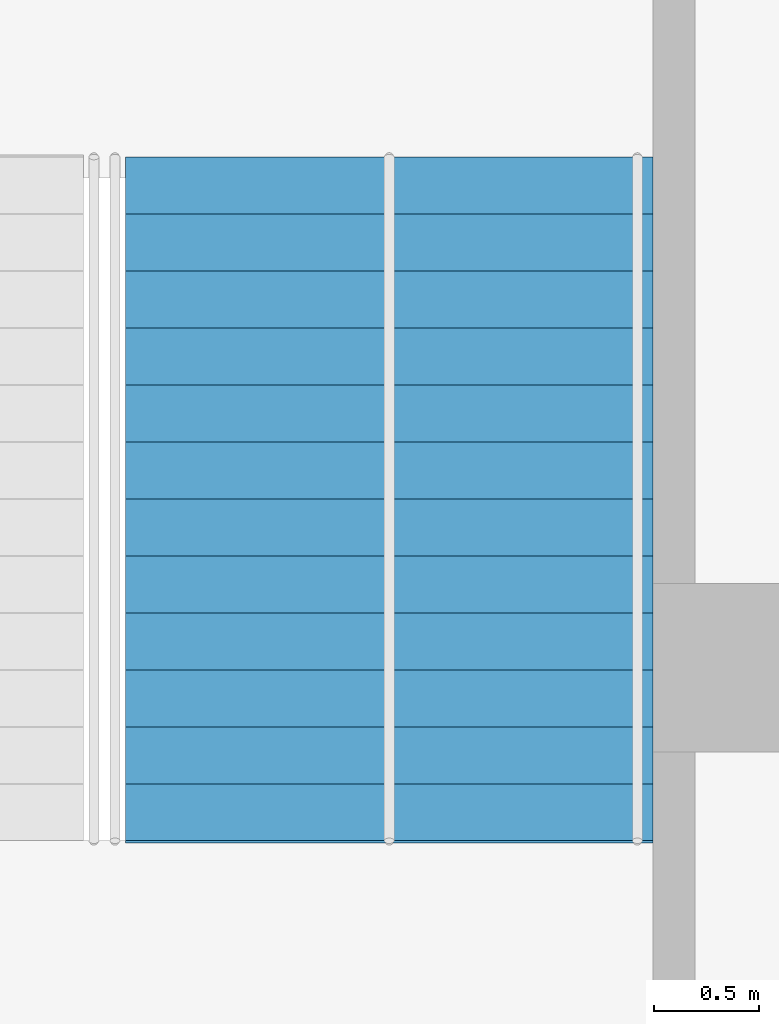
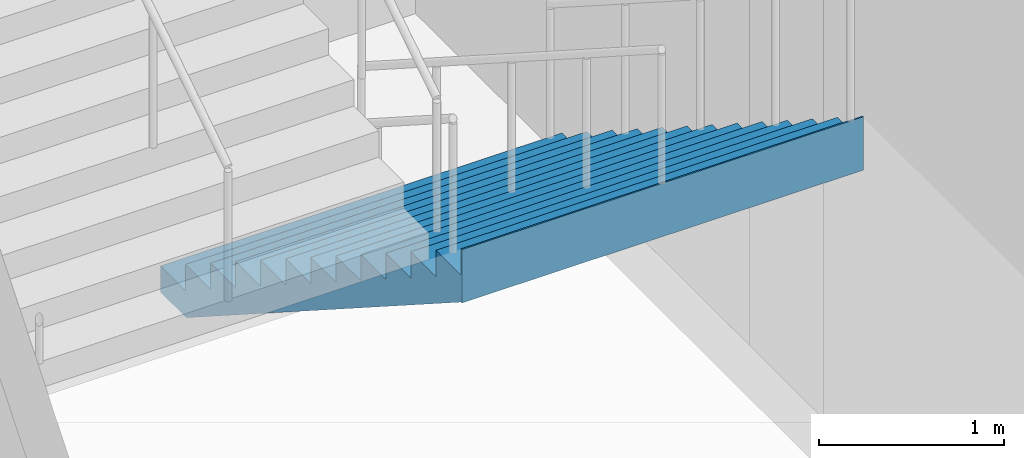
# One storey, part 14 of 15: 1 stair flight, 1 element without a shape of its own.
"""IFC4 building model written with IfcOpenShell, lengths in metres."""

from ifc_helpers import new_model, si_unit, direction, frame, origin, place, context, subcontext, project, spatial, faceted_brep, material, type_object, element, aggregate, save


model = new_model("IFC4")

# Units and contexts
model_context = context("Model", 3, precision=1e-05, world=origin(), true_north=direction((0.0, 1.0)))
body_context = subcontext(model_context, "Body", "Model", "MODEL_VIEW")
ifc_project = project(units=[si_unit("LENGTHUNIT", "METRE"), si_unit("AREAUNIT", "SQUARE_METRE"), si_unit("VOLUMEUNIT", "CUBIC_METRE"), si_unit("PLANEANGLEUNIT", "RADIAN"), si_unit("MASSUNIT", "GRAM", prefix="KILO")], contexts=[model_context])

# Site, building, storey
site_placement = place(None, origin())
site = spatial("IfcSite", under=ifc_project, at=site_placement, CompositionType="ELEMENT")
building_placement = place(site_placement, origin())
building = spatial("IfcBuilding", under=site, at=building_placement, Name="Torsade Residences", CompositionType="ELEMENT")
storey_placement = place(building_placement, frame((0.0, 0.0, 6.0)))
storey = spatial("IfcBuildingStorey", under=building, at=storey_placement, Name="L01", CompositionType="ELEMENT", Elevation=6.0)

# Stair, stair flight
ifc_material_1 = material(Name="Concrete 40 MPa", Category="concrete")
stair_type = type_object("IfcStairType", Name="HALF-TURN PODIUM STAIR 2500x4500", PredefinedType="HALF_TURN_STAIR", material=ifc_material_1)
stair_placement = place(storey_placement, origin())
stair = element("IfcStair", 1, at=stair_placement, inside=storey, type_object=stair_type, Name="Stair ST4 L01", PredefinedType="HALF_TURN_STAIR")
ifc_material_2 = material(Name="Concrete 40 MPa", Category="concrete")
stair_flight_type = type_object("IfcStairFlightType", Name="PODIUM STAIR FLIGHT 2500x2250", PredefinedType="STRAIGHT", material=ifc_material_2)
stair_flight_placement = place(storey_placement, frame((75.75, 13.419921875, 0.0), z_axis=(0.0, 0.0, 1.0), x_axis=(0.0, -1.0, 0.0)))
stair_flight = element("IfcStairFlight", 2, at=stair_flight_placement, type_object=stair_flight_type, Name="ST4 flight 1", NumberOfRisers=13, NumberOfTreads=12, PredefinedType="STRAIGHT", RiserHeight=0.173076923, TreadLength=0.27, context=body_context, shape_type="Brep", body=[
    faceted_brep([(0.0, 1.25, 0.0), (0.0, 1.25, 0.173095703125), (0.27001953125, 1.25, 0.173095703125), (0.27001953125, 1.25, 0.34619140625), (0.5400390625, 1.25, 0.34619140625), (0.5400390625, 1.25, 0.519287109375), (0.81005859375, 1.25, 0.519287109375), (0.81005859375, 1.25, 0.6923828125), (1.080078125, 1.25, 0.6923828125), (1.080078125, 1.25, 0.865478515625), (1.35009765625, 1.25, 0.865478515625), (1.35009765625, 1.25, 1.03857421875), (1.6201171875, 1.25, 1.03857421875), (1.6201171875, 1.25, 1.21142578125), (1.889892578125, 1.25, 1.21142578125), (1.889892578125, 1.25, 1.384521484375), (2.159912109375, 1.25, 1.384521484375), (2.159912109375, 1.25, 1.5576171875), (2.429931640625, 1.25, 1.5576171875), (2.429931640625, 1.25, 1.730712890625), (2.699951171875, 1.25, 1.730712890625), (2.699951171875, 1.25, 1.90380859375), (2.969970703125, 1.25, 1.90380859375), (2.969970703125, 1.25, 2.076904296875), (3.239990234375, 1.25, 2.076904296875), (3.239990234375, 1.25, 2.25), (3.25, 1.25, 2.25), (3.25, 1.25, 1.89892578125), (3.239990234375, 1.25, 1.89892578125), (0.27783203125, 1.25, 0.0), (0.27783203125, -1.25, 0.0), (3.239990234375, -1.25, 1.89892578125), (3.25, -1.25, 1.89892578125), (3.25, -1.25, 2.25), (3.239990234375, -1.25, 2.25), (3.239990234375, -1.25, 2.076904296875), (2.969970703125, -1.25, 2.076904296875), (2.969970703125, -1.25, 1.90380859375), (2.699951171875, -1.25, 1.90380859375), (2.699951171875, -1.25, 1.730712890625), (2.429931640625, -1.25, 1.730712890625), (2.429931640625, -1.25, 1.5576171875), (2.159912109375, -1.25, 1.5576171875), (2.159912109375, -1.25, 1.384521484375), (1.889892578125, -1.25, 1.384521484375), (1.889892578125, -1.25, 1.21142578125), (1.6201171875, -1.25, 1.21142578125), (1.6201171875, -1.25, 1.03857421875), (1.35009765625, -1.25, 1.03857421875), (1.35009765625, -1.25, 0.865478515625), (1.080078125, -1.25, 0.865478515625), (1.080078125, -1.25, 0.6923828125), (0.81005859375, -1.25, 0.6923828125), (0.81005859375, -1.25, 0.519287109375), (0.5400390625, -1.25, 0.519287109375), (0.5400390625, -1.25, 0.34619140625), (0.27001953125, -1.25, 0.34619140625), (0.27001953125, -1.25, 0.173095703125), (0.0, -1.25, 0.173095703125), (0.0, -1.25, 0.0), (0.0, 0.75, 0.0), (0.0, 0.75, 0.173095703125), (0.0, 0.25, 0.0), (0.0, 0.25, 0.173095703125), (0.0, -0.25, 0.0), (0.0, -0.25, 0.173095703125), (0.0, -0.75, 0.0), (0.0, -0.75, 0.173095703125), (0.27001953125, 0.75, 0.173095703125), (0.27001953125, 0.25, 0.173095703125), (0.27001953125, -0.25, 0.173095703125), (0.27001953125, -0.75, 0.173095703125), (0.27001953125, 0.75, 0.34619140625), (0.27001953125, 0.25, 0.34619140625), (0.27001953125, -0.25, 0.34619140625), (0.27001953125, -0.75, 0.34619140625), (0.5400390625, 0.75, 0.34619140625), (0.5400390625, 0.25, 0.34619140625), (0.5400390625, -0.25, 0.34619140625), (0.5400390625, -0.75, 0.34619140625), (0.5400390625, 0.75, 0.519287109375), (0.5400390625, 0.25, 0.519287109375), (0.5400390625, -0.25, 0.519287109375), (0.5400390625, -0.75, 0.519287109375), (0.81005859375, 0.75, 0.519287109375), (0.81005859375, 0.25, 0.519287109375), (0.81005859375, -0.25, 0.519287109375), (0.81005859375, -0.75, 0.519287109375), (0.81005859375, 0.75, 0.6923828125), (0.81005859375, 0.25, 0.6923828125), (0.81005859375, -0.25, 0.6923828125), (0.81005859375, -0.75, 0.6923828125), (1.080078125, 0.75, 0.6923828125), (1.080078125, 0.25, 0.6923828125), (1.080078125, -0.25, 0.6923828125), (1.080078125, -0.75, 0.6923828125), (1.080078125, 0.75, 0.865478515625), (1.080078125, 0.25, 0.865478515625), (1.080078125, -0.25, 0.865478515625), (1.080078125, -0.75, 0.865478515625), (1.35009765625, 0.75, 0.865478515625), (1.35009765625, 0.25, 0.865478515625), (1.35009765625, -0.25, 0.865478515625), (1.35009765625, -0.75, 0.865478515625), (1.35009765625, 0.75, 1.03857421875), (1.35009765625, 0.25, 1.03857421875), (1.35009765625, -0.25, 1.03857421875), (1.35009765625, -0.75, 1.03857421875), (1.6201171875, 0.75, 1.03857421875), (1.6201171875, 0.25, 1.03857421875), (1.6201171875, -0.25, 1.03857421875), (1.6201171875, -0.75, 1.03857421875), (1.6201171875, 0.75, 1.21142578125), (1.6201171875, 0.25, 1.21142578125), (1.6201171875, -0.25, 1.21142578125), (1.6201171875, -0.75, 1.21142578125), (1.889892578125, 0.75, 1.21142578125), (1.889892578125, 0.25, 1.21142578125), (1.889892578125, -0.25, 1.21142578125), (1.889892578125, -0.75, 1.21142578125), (1.889892578125, 0.75, 1.384521484375), (1.889892578125, 0.25, 1.384521484375), (1.889892578125, -0.25, 1.384521484375), (1.889892578125, -0.75, 1.384521484375), (2.159912109375, 0.75, 1.384521484375), (2.159912109375, 0.25, 1.384521484375), (2.159912109375, -0.25, 1.384521484375), (2.159912109375, -0.75, 1.384521484375), (2.159912109375, 0.75, 1.5576171875), (2.159912109375, 0.25, 1.5576171875), (2.159912109375, -0.25, 1.5576171875), (2.159912109375, -0.75, 1.5576171875), (2.429931640625, 0.75, 1.5576171875), (2.429931640625, 0.25, 1.5576171875), (2.429931640625, -0.25, 1.5576171875), (2.429931640625, -0.75, 1.5576171875), (2.429931640625, 0.75, 1.730712890625), (2.429931640625, 0.25, 1.730712890625), (2.429931640625, -0.25, 1.730712890625), (2.429931640625, -0.75, 1.730712890625), (2.699951171875, 0.75, 1.730712890625), (2.699951171875, 0.25, 1.730712890625), (2.699951171875, -0.25, 1.730712890625), (2.699951171875, -0.75, 1.730712890625), (2.699951171875, 0.75, 1.90380859375), (2.699951171875, 0.25, 1.90380859375), (2.699951171875, -0.25, 1.90380859375), (2.699951171875, -0.75, 1.90380859375), (2.969970703125, 0.75, 1.90380859375), (2.969970703125, 0.25, 1.90380859375), (2.969970703125, -0.25, 1.90380859375), (2.969970703125, -0.75, 1.90380859375), (2.969970703125, 0.75, 2.076904296875), (2.969970703125, 0.25, 2.076904296875), (2.969970703125, -0.25, 2.076904296875), (2.969970703125, -0.75, 2.076904296875), (3.239990234375, 0.75, 2.076904296875), (3.239990234375, 0.25, 2.076904296875), (3.239990234375, -0.25, 2.076904296875), (3.239990234375, -0.75, 2.076904296875), (3.239990234375, 0.75, 2.25), (3.239990234375, 0.25, 2.25), (3.239990234375, -0.25, 2.25), (3.239990234375, -0.75, 2.25), (3.25, 0.75, 2.25), (3.25, 0.25, 2.25), (3.25, -0.25, 2.25), (3.25, -0.75, 2.25), (3.25, 0.75, 1.89892578125), (3.25, 0.25, 1.89892578125), (3.25, -0.25, 1.89892578125), (3.25, -0.75, 1.89892578125), (3.239990234375, 0.75, 1.89892578125), (3.239990234375, 0.25, 1.89892578125), (3.239990234375, -0.25, 1.89892578125), (3.239990234375, -0.75, 1.89892578125), (0.27783203125, 0.75, 0.0), (0.27783203125, 0.25, 0.0), (0.27783203125, -0.25, 0.0), (0.27783203125, -0.75, 0.0)], [[[0, 1, 2, 3, 4, 5, 6, 7, 8, 9, 10, 11, 12, 13, 14, 15, 16, 17, 18, 19, 20, 21, 22, 23, 24, 25, 26, 27, 28, 29]], [[30, 31, 32, 33, 34, 35, 36, 37, 38, 39, 40, 41, 42, 43, 44, 45, 46, 47, 48, 49, 50, 51, 52, 53, 54, 55, 56, 57, 58, 59]], [[60, 61, 1, 0]], [[62, 63, 61, 60]], [[64, 65, 63, 62]], [[66, 67, 65, 64]], [[59, 58, 67, 66]], [[61, 68, 2, 1]], [[63, 69, 68, 61]], [[65, 70, 69, 63]], [[67, 71, 70, 65]], [[58, 57, 71, 67]], [[68, 72, 3, 2]], [[69, 73, 72, 68]], [[70, 74, 73, 69]], [[71, 75, 74, 70]], [[57, 56, 75, 71]], [[72, 76, 4, 3]], [[73, 77, 76, 72]], [[74, 78, 77, 73]], [[75, 79, 78, 74]], [[56, 55, 79, 75]], [[76, 80, 5, 4]], [[77, 81, 80, 76]], [[78, 82, 81, 77]], [[79, 83, 82, 78]], [[55, 54, 83, 79]], [[80, 84, 6, 5]], [[81, 85, 84, 80]], [[82, 86, 85, 81]], [[83, 87, 86, 82]], [[54, 53, 87, 83]], [[84, 88, 7, 6]], [[85, 89, 88, 84]], [[86, 90, 89, 85]], [[87, 91, 90, 86]], [[53, 52, 91, 87]], [[88, 92, 8, 7]], [[89, 93, 92, 88]], [[90, 94, 93, 89]], [[91, 95, 94, 90]], [[52, 51, 95, 91]], [[92, 96, 9, 8]], [[93, 97, 96, 92]], [[94, 98, 97, 93]], [[95, 99, 98, 94]], [[51, 50, 99, 95]], [[96, 100, 10, 9]], [[97, 101, 100, 96]], [[98, 102, 101, 97]], [[99, 103, 102, 98]], [[50, 49, 103, 99]], [[100, 104, 11, 10]], [[101, 105, 104, 100]], [[102, 106, 105, 101]], [[103, 107, 106, 102]], [[49, 48, 107, 103]], [[104, 108, 12, 11]], [[105, 109, 108, 104]], [[106, 110, 109, 105]], [[107, 111, 110, 106]], [[48, 47, 111, 107]], [[108, 112, 13, 12]], [[109, 113, 112, 108]], [[110, 114, 113, 109]], [[111, 115, 114, 110]], [[47, 46, 115, 111]], [[112, 116, 14, 13]], [[113, 117, 116, 112]], [[114, 118, 117, 113]], [[115, 119, 118, 114]], [[46, 45, 119, 115]], [[116, 120, 15, 14]], [[117, 121, 120, 116]], [[118, 122, 121, 117]], [[119, 123, 122, 118]], [[45, 44, 123, 119]], [[120, 124, 16, 15]], [[121, 125, 124, 120]], [[122, 126, 125, 121]], [[123, 127, 126, 122]], [[44, 43, 127, 123]], [[124, 128, 17, 16]], [[125, 129, 128, 124]], [[126, 130, 129, 125]], [[127, 131, 130, 126]], [[43, 42, 131, 127]], [[128, 132, 18, 17]], [[129, 133, 132, 128]], [[130, 134, 133, 129]], [[131, 135, 134, 130]], [[42, 41, 135, 131]], [[132, 136, 19, 18]], [[133, 137, 136, 132]], [[134, 138, 137, 133]], [[135, 139, 138, 134]], [[41, 40, 139, 135]], [[136, 140, 20, 19]], [[137, 141, 140, 136]], [[138, 142, 141, 137]], [[139, 143, 142, 138]], [[40, 39, 143, 139]], [[140, 144, 21, 20]], [[141, 145, 144, 140]], [[142, 146, 145, 141]], [[143, 147, 146, 142]], [[39, 38, 147, 143]], [[144, 148, 22, 21]], [[145, 149, 148, 144]], [[146, 150, 149, 145]], [[147, 151, 150, 146]], [[38, 37, 151, 147]], [[148, 152, 23, 22]], [[149, 153, 152, 148]], [[150, 154, 153, 149]], [[151, 155, 154, 150]], [[37, 36, 155, 151]], [[152, 156, 24, 23]], [[153, 157, 156, 152]], [[154, 158, 157, 153]], [[155, 159, 158, 154]], [[36, 35, 159, 155]], [[156, 160, 25, 24]], [[157, 161, 160, 156]], [[158, 162, 161, 157]], [[159, 163, 162, 158]], [[35, 34, 163, 159]], [[160, 164, 26, 25]], [[161, 165, 164, 160]], [[162, 166, 165, 161]], [[163, 167, 166, 162]], [[34, 33, 167, 163]], [[164, 168, 27, 26]], [[165, 169, 168, 164]], [[166, 170, 169, 165]], [[167, 171, 170, 166]], [[33, 32, 171, 167]], [[168, 172, 28, 27]], [[169, 173, 172, 168]], [[170, 174, 173, 169]], [[171, 175, 174, 170]], [[32, 31, 175, 171]], [[172, 176, 29, 28]], [[173, 177, 176, 172]], [[174, 178, 177, 173]], [[175, 179, 178, 174]], [[31, 30, 179, 175]], [[176, 60, 0, 29]], [[177, 62, 60, 176]], [[178, 64, 62, 177]], [[179, 66, 64, 178]], [[30, 59, 66, 179]]]),
])
aggregate(stair, [stair_flight])

save(model, "model.ifc")
